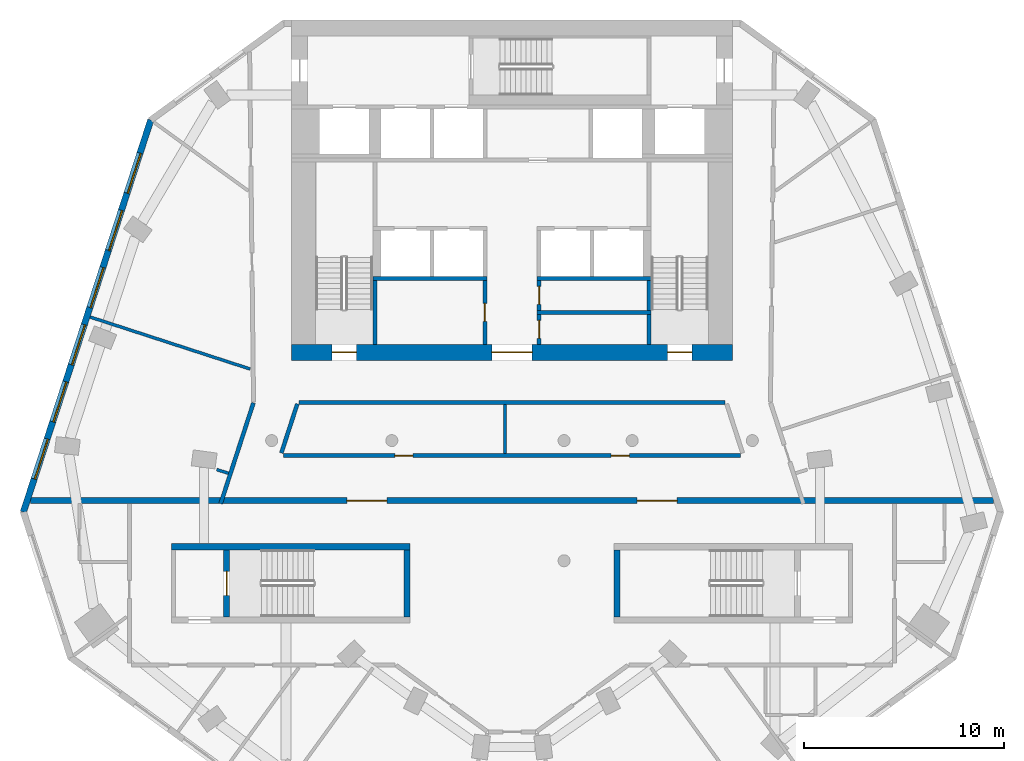
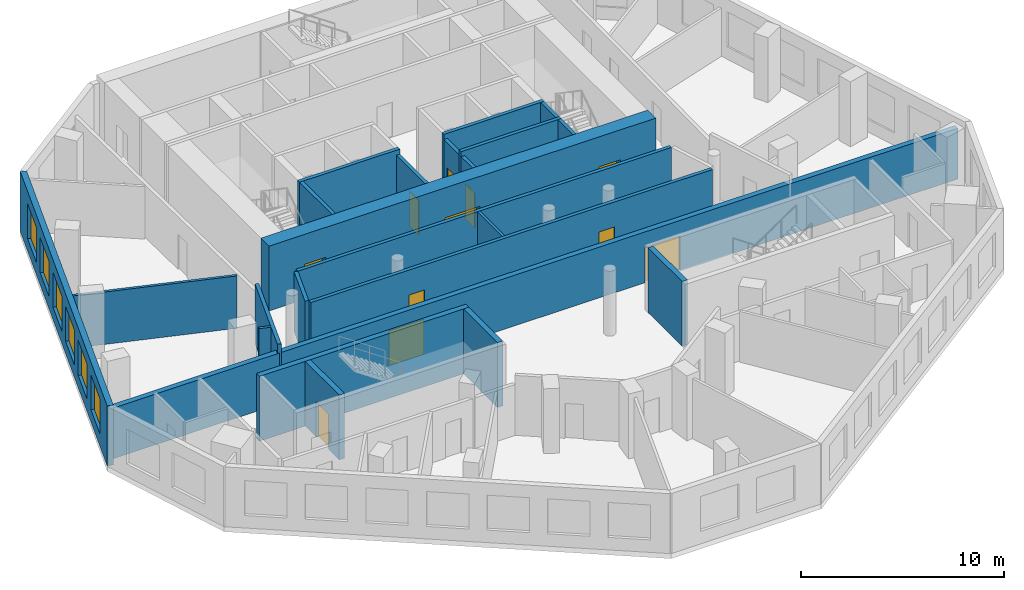
# One storey, part 3 of 9: 23 walls, 11 doors, 6 windows, 17 openings.
"""IFC4 building model written with IfcOpenShell, lengths in metres."""

from ifc_helpers import new_model, si_unit, direction, frame, frame_2d, origin, place, context, subcontext, project, spatial, rectangle, extrude, material, layer, layer_set, type_object, element, fill, save


model = new_model("IFC4")

# Units and contexts
model_context = context("Model", 3, precision=1e-05, world=origin(), true_north=direction((0.0, 1.0)))
body_context = subcontext(model_context, "Body", "Model", "MODEL_VIEW")
ifc_project = project(units=[si_unit("LENGTHUNIT", "METRE"), si_unit("AREAUNIT", "SQUARE_METRE"), si_unit("VOLUMEUNIT", "CUBIC_METRE"), si_unit("PLANEANGLEUNIT", "RADIAN"), si_unit("MASSUNIT", "GRAM", prefix="KILO")], contexts=[model_context])

# Site, building, storey
site_placement = place(None, origin())
site = spatial("IfcSite", under=ifc_project, at=site_placement, CompositionType="ELEMENT")
building_placement = place(site_placement, origin())
building = spatial("IfcBuilding", under=site, at=building_placement, Name="White Candle Pilgrim Tower", CompositionType="ELEMENT")
storey_placement = place(building_placement, frame((0.0, 0.0, 227.699951171875)))
storey = spatial("IfcBuildingStorey", under=building, at=storey_placement, Name="L53", CompositionType="ELEMENT", Elevation=227.699951171875)

# Walls
ifc_material_1 = material(Name="Gypsum board on steel studs", Category="steel")
ifc_layer_1 = layer(ifc_material_1, 0.199951171875)
ifc_layer_set_1 = layer_set([ifc_layer_1], Name="Corridor wall 200 mm EI 45")
wall_type_1 = type_object("IfcWallType", Name="Corridor wall 200 mm EI 45", PredefinedType="PARTITIONING", material=ifc_layer_set_1)
wall_1_placement = place(storey_placement, frame((55.454345703125, 63.85009765625, 0.0), z_axis=(0.0, 0.0, 1.0), x_axis=(0.309009941901, 0.951058807754, 0.0)))
element("IfcWall", 1, at=wall_1_placement, inside=storey, type_object=wall_type_1, Name="WL-L53-P002", PredefinedType="PARTITIONING", context=body_context, shape_type="SweptSolid", body=[
    extrude(rectangle(XDim=5.29345703125, YDim=0.199951171875, at=frame_2d((2.646728515625, 0.0))), origin(), (0.0, 0.0, 1.0), 3.60009765625),
])
wall_2_placement = place(storey_placement, frame((80.6240234375, 68.89990234375, 0.0), z_axis=(0.0, 0.0, 1.0), x_axis=(-1.0, 0.0, 0.0)))
element("IfcWall", 2, at=wall_2_placement, inside=storey, type_object=wall_type_1, Name="WL-L53-P013", PredefinedType="PARTITIONING", context=body_context, shape_type="SweptSolid", body=[
    extrude(rectangle(XDim=21.248046875, YDim=0.199951171875, at=frame_2d((10.6240234375, 0.0))), origin(), (0.0, 0.0, 1.0), 3.60009765625),
])
wall_3_placement = place(storey_placement, frame((59.28076171875, 68.830810546875, 0.0), z_axis=(0.0, 0.0, 1.0), x_axis=(-0.308968203288, -0.951072368097, 0.0)))
element("IfcWall", 3, at=wall_3_placement, inside=storey, type_object=wall_type_1, Name="WL-L53-P014", PredefinedType="PARTITIONING", context=body_context, shape_type="SweptSolid", body=[
    extrude(rectangle(XDim=2.575927734375, YDim=0.199951171875, at=frame_2d((1.2880859375, 0.0))), origin(), (0.0, 0.0, 1.0), 3.60009765625),
])

# Wall, openings, doors
wall_4_placement = place(storey_placement, frame((58.579833984375, 66.25, 0.0), z_axis=(0.0, 0.0, 1.0), x_axis=(1.0, 0.0, 0.0)))
wall_4 = element("IfcWall", 4, at=wall_4_placement, inside=storey, type_object=wall_type_1, Name="WL-L53-P015", PredefinedType="PARTITIONING", context=body_context, shape_type="SweptSolid", body=[
    extrude(rectangle(XDim=22.84033203125, YDim=0.199951171875, at=frame_2d((11.420166015625, 0.0))), origin(), (0.0, 0.0, 1.0), 3.60009765625),
])
opening_1_placement = place(wall_4_placement, frame((5.56689453125, 0.0, 0.0)))
opening_1 = element("IfcOpeningElement", 5, at=opening_1_placement, cuts=wall_4, Name="Opening T16-116", PredefinedType="OPENING", context=body_context, shape_type="SweptSolid", body=[
    extrude(rectangle(XDim=0.89990234375, YDim=2.10009765625, at=frame_2d((0.449951171875, 1.050048828125))), frame((0.0, 0.10986328125, 0.0), z_axis=(0.0, -1.0, 0.0), x_axis=(1.0, 0.0, 0.0)), (0.0, 0.0, 1.0), 0.219970703125),
])
opening_2_placement = place(wall_4_placement, frame((16.37451171875, 0.0, 0.0)))
opening_2 = element("IfcOpeningElement", 6, at=opening_2_placement, cuts=wall_4, Name="Opening T16-117", PredefinedType="OPENING", context=body_context, shape_type="SweptSolid", body=[
    extrude(rectangle(XDim=0.89990234375, YDim=2.10009765625, at=frame_2d((0.449951171875, 1.050048828125))), frame((0.0, 0.10986328125, 0.0), z_axis=(0.0, -1.0, 0.0), x_axis=(1.0, 0.0, 0.0)), (0.0, 0.0, 1.0), 0.219970703125),
])
ifc_material_2 = material(Name="Steel door leaf", Category="steel")
door_type_1 = type_object("IfcDoorType", Name="Fire door 900 x 2100 EI 30", OperationType="NOTDEFINED", PredefinedType="DOOR", material=ifc_material_2)
door_1_placement = place(opening_1_placement, origin())
door_1 = element("IfcDoor", 7, at=door_1_placement, inside=storey, type_object=door_type_1, Name="Door T16-116", OperationType="SINGLE_SWING_RIGHT", OverallHeight=2.10009765625, OverallWidth=0.89990234375, PredefinedType="DOOR", context=body_context, shape_type="SweptSolid", body=[
    extrude(rectangle(XDim=0.89990234375, YDim=2.10009765625, at=frame_2d((0.449951171875, 1.050048828125))), frame((0.0, 0.02490234375, 0.0), z_axis=(0.0, -1.0, 0.0), x_axis=(1.0, 0.0, 0.0)), (0.0, 0.0, 1.0), 0.050048828125),
])
fill(opening_1, door_1)
door_2_placement = place(opening_2_placement, origin())
door_2 = element("IfcDoor", 8, at=door_2_placement, inside=storey, type_object=door_type_1, Name="Door T16-117", OperationType="SINGLE_SWING_LEFT", OverallHeight=2.10009765625, OverallWidth=0.89990234375, PredefinedType="DOOR", context=body_context, shape_type="SweptSolid", body=[
    extrude(rectangle(XDim=0.89990234375, YDim=2.10009765625, at=frame_2d((0.449951171875, 1.050048828125))), frame((0.0, 0.02490234375, 0.0), z_axis=(0.0, -1.0, 0.0), x_axis=(1.0, 0.0, 0.0)), (0.0, 0.0, 1.0), 0.050048828125),
])
fill(opening_2, door_2)

# Wall, openings, windows
ifc_material_3 = material(Name="Precast concrete C40/50", Category="concrete")
ifc_layer_2 = layer(ifc_material_3, 0.320068359375)
ifc_layer_set_2 = layer_set([ifc_layer_2], Name="Facade wall EW1 precast concrete C40/50 pier wall with timber-lined reveals")
wall_type_2 = type_object("IfcWallType", Name="Facade wall EW1 precast concrete C40/50 pier wall with timber-lined reveals", PredefinedType="SOLIDWALL", material=ifc_layer_set_2)
wall_5_placement = place(storey_placement, frame((51.96337890625, 83.00732421875, 0.0), z_axis=(0.0, 0.0, 1.0), x_axis=(-0.309012851328, -0.951057862443, 0.0)))
wall_5 = element("IfcWall", 9, at=wall_5_placement, inside=storey, type_object=wall_type_2, Name="Facade wall L53 WNW", PredefinedType="SOLIDWALL", context=body_context, shape_type="SweptSolid", body=[
    extrude(rectangle(XDim=20.582763671875, YDim=0.320068359375, at=frame_2d((10.29150390625, 0.0))), origin(), (0.0, 0.0, 1.0), 3.60009765625),
])
opening_3_placement = place(wall_5_placement, frame((1.741455078125, 0.0, 0.75)))
opening_3 = element("IfcOpeningElement", 10, at=opening_3_placement, cuts=wall_5, Name="Opening W3", PredefinedType="OPENING", context=body_context, shape_type="SweptSolid", body=[
    extrude(rectangle(XDim=2.10009765625, YDim=2.10009765625, at=frame_2d((1.050048828125, 1.050048828125))), frame((0.0, 0.169921875, 0.0), z_axis=(0.0, -1.0, 0.0), x_axis=(1.0, 0.0, 0.0)), (0.0, 0.0, 1.0), 0.340087890625),
])
opening_4_placement = place(wall_5_placement, frame((4.741455078125, 0.0, 0.75)))
opening_4 = element("IfcOpeningElement", 11, at=opening_4_placement, cuts=wall_5, Name="Opening W3", PredefinedType="OPENING", context=body_context, shape_type="SweptSolid", body=[
    extrude(rectangle(XDim=2.10009765625, YDim=2.10009765625, at=frame_2d((1.050048828125, 1.050048828125))), frame((0.0, 0.169921875, 0.0), z_axis=(0.0, -1.0, 0.0), x_axis=(1.0, 0.0, 0.0)), (0.0, 0.0, 1.0), 0.340087890625),
])
opening_5_placement = place(wall_5_placement, frame((7.741455078125, 0.0, 0.75)))
opening_5 = element("IfcOpeningElement", 12, at=opening_5_placement, cuts=wall_5, Name="Opening W3", PredefinedType="OPENING", context=body_context, shape_type="SweptSolid", body=[
    extrude(rectangle(XDim=2.10009765625, YDim=2.10009765625, at=frame_2d((1.050048828125, 1.050048828125))), frame((0.0, 0.169921875, 0.0), z_axis=(0.0, -1.0, 0.0), x_axis=(1.0, 0.0, 0.0)), (0.0, 0.0, 1.0), 0.340087890625),
])
opening_6_placement = place(wall_5_placement, frame((10.741455078125, 0.0, 0.75)))
opening_6 = element("IfcOpeningElement", 13, at=opening_6_placement, cuts=wall_5, Name="Opening W3", PredefinedType="OPENING", context=body_context, shape_type="SweptSolid", body=[
    extrude(rectangle(XDim=2.10009765625, YDim=2.10009765625, at=frame_2d((1.050048828125, 1.050048828125))), frame((0.0, 0.169921875, 0.0), z_axis=(0.0, -1.0, 0.0), x_axis=(1.0, 0.0, 0.0)), (0.0, 0.0, 1.0), 0.340087890625),
])
opening_7_placement = place(wall_5_placement, frame((13.741455078125, 0.0, 0.75)))
opening_7 = element("IfcOpeningElement", 14, at=opening_7_placement, cuts=wall_5, Name="Opening W3", PredefinedType="OPENING", context=body_context, shape_type="SweptSolid", body=[
    extrude(rectangle(XDim=2.10009765625, YDim=2.10009765625, at=frame_2d((1.050048828125, 1.050048828125))), frame((0.0, 0.169921875, 0.0), z_axis=(0.0, -1.0, 0.0), x_axis=(1.0, 0.0, 0.0)), (0.0, 0.0, 1.0), 0.340087890625),
])
opening_8_placement = place(wall_5_placement, frame((16.741455078125, 0.0, 0.75)))
opening_8 = element("IfcOpeningElement", 15, at=opening_8_placement, cuts=wall_5, Name="Opening W3", PredefinedType="OPENING", context=body_context, shape_type="SweptSolid", body=[
    extrude(rectangle(XDim=2.10009765625, YDim=2.10009765625, at=frame_2d((1.050048828125, 1.050048828125))), frame((0.0, 0.169921875, 0.0), z_axis=(0.0, -1.0, 0.0), x_axis=(1.0, 0.0, 0.0)), (0.0, 0.0, 1.0), 0.340087890625),
])
ifc_material_4 = material(Name="Timber frame with triple glazing", Category="wood")
window_type = type_object("IfcWindowType", Name="Window W3 2100x2100 timber frame triple glazing", PartitioningType="SINGLE_PANEL", PredefinedType="WINDOW", material=ifc_material_4)
window_1_placement = place(opening_3_placement, origin())
window_1 = element("IfcWindow", 16, at=window_1_placement, inside=storey, type_object=window_type, Name="Window W3 L53 WNW 1", OverallHeight=2.10009765625, OverallWidth=2.10009765625, PartitioningType="SINGLE_PANEL", PredefinedType="WINDOW", context=body_context, shape_type="SweptSolid", body=[
    extrude(rectangle(XDim=2.10009765625, YDim=2.10009765625, at=frame_2d((1.050048828125, 1.050048828125))), frame((0.0, 0.070068359375, 0.0), z_axis=(0.0, -1.0, 0.0), x_axis=(1.0, 0.0, 0.0)), (0.0, 0.0, 1.0), 0.06005859375),
])
fill(opening_3, window_1)
window_2_placement = place(opening_4_placement, origin())
window_2 = element("IfcWindow", 17, at=window_2_placement, inside=storey, type_object=window_type, Name="Window W3 L53 WNW 2", OverallHeight=2.10009765625, OverallWidth=2.10009765625, PartitioningType="SINGLE_PANEL", PredefinedType="WINDOW", context=body_context, shape_type="SweptSolid", body=[
    extrude(rectangle(XDim=2.10009765625, YDim=2.10009765625, at=frame_2d((1.050048828125, 1.050048828125))), frame((0.0, 0.070068359375, 0.0), z_axis=(0.0, -1.0, 0.0), x_axis=(1.0, 0.0, 0.0)), (0.0, 0.0, 1.0), 0.06005859375),
])
fill(opening_4, window_2)
window_3_placement = place(opening_5_placement, origin())
window_3 = element("IfcWindow", 18, at=window_3_placement, inside=storey, type_object=window_type, Name="Window W3 L53 WNW 3", OverallHeight=2.10009765625, OverallWidth=2.10009765625, PartitioningType="SINGLE_PANEL", PredefinedType="WINDOW", context=body_context, shape_type="SweptSolid", body=[
    extrude(rectangle(XDim=2.10009765625, YDim=2.10009765625, at=frame_2d((1.050048828125, 1.050048828125))), frame((0.0, 0.070068359375, 0.0), z_axis=(0.0, -1.0, 0.0), x_axis=(1.0, 0.0, 0.0)), (0.0, 0.0, 1.0), 0.06005859375),
])
fill(opening_5, window_3)
window_4_placement = place(opening_6_placement, origin())
window_4 = element("IfcWindow", 19, at=window_4_placement, inside=storey, type_object=window_type, Name="Window W3 L53 WNW 4", OverallHeight=2.10009765625, OverallWidth=2.10009765625, PartitioningType="SINGLE_PANEL", PredefinedType="WINDOW", context=body_context, shape_type="SweptSolid", body=[
    extrude(rectangle(XDim=2.10009765625, YDim=2.10009765625, at=frame_2d((1.050048828125, 1.050048828125))), frame((0.0, 0.070068359375, 0.0), z_axis=(0.0, -1.0, 0.0), x_axis=(1.0, 0.0, 0.0)), (0.0, 0.0, 1.0), 0.06005859375),
])
fill(opening_6, window_4)
window_5_placement = place(opening_7_placement, origin())
window_5 = element("IfcWindow", 20, at=window_5_placement, inside=storey, type_object=window_type, Name="Window W3 L53 WNW 5", OverallHeight=2.10009765625, OverallWidth=2.10009765625, PartitioningType="SINGLE_PANEL", PredefinedType="WINDOW", context=body_context, shape_type="SweptSolid", body=[
    extrude(rectangle(XDim=2.10009765625, YDim=2.10009765625, at=frame_2d((1.050048828125, 1.050048828125))), frame((0.0, 0.070068359375, 0.0), z_axis=(0.0, -1.0, 0.0), x_axis=(1.0, 0.0, 0.0)), (0.0, 0.0, 1.0), 0.06005859375),
])
fill(opening_7, window_5)
window_6_placement = place(opening_8_placement, origin())
window_6 = element("IfcWindow", 21, at=window_6_placement, inside=storey, type_object=window_type, Name="Window W3 L53 WNW 6", OverallHeight=2.10009765625, OverallWidth=2.10009765625, PartitioningType="SINGLE_PANEL", PredefinedType="WINDOW", context=body_context, shape_type="SweptSolid", body=[
    extrude(rectangle(XDim=2.10009765625, YDim=2.10009765625, at=frame_2d((1.050048828125, 1.050048828125))), frame((0.0, 0.070068359375, 0.0), z_axis=(0.0, -1.0, 0.0), x_axis=(1.0, 0.0, 0.0)), (0.0, 0.0, 1.0), 0.06005859375),
])
fill(opening_8, window_6)

# Wall, openings, doors
ifc_material_5 = material(Name="Aerated concrete block", Category="concrete")
ifc_layer_3 = layer(ifc_material_5, 0.300048828125)
ifc_layer_set_3 = layer_set([ifc_layer_3], Name="Fire wall 300 mm REI 240")
wall_type_3 = type_object("IfcWallType", Name="Fire wall 300 mm REI 240", PredefinedType="PARTITIONING", material=ifc_layer_set_3)
wall_6_placement = place(storey_placement, frame((45.955810546875, 64.0, 0.0), z_axis=(0.0, 0.0, 1.0), x_axis=(1.0, 0.0, 0.0)))
wall_6 = element("IfcWall", 22, at=wall_6_placement, inside=storey, type_object=wall_type_3, Name="WL-L53-P001", PredefinedType="PARTITIONING", context=body_context, shape_type="SweptSolid", body=[
    extrude(rectangle(XDim=48.08837890625, YDim=0.300048828125, at=frame_2d((24.044189453125, 0.0))), origin(), (0.0, 0.0, 1.0), 3.050048828125),
])
opening_9_placement = place(wall_6_placement, frame((15.795654296875, 0.0, 0.0)))
opening_9 = element("IfcOpeningElement", 23, at=opening_9_placement, cuts=wall_6, Name="Opening T16-114", PredefinedType="OPENING", context=body_context, shape_type="SweptSolid", body=[
    extrude(rectangle(XDim=2.0, YDim=2.10009765625, at=frame_2d((1.0, 1.050048828125))), frame((0.0, 0.159912109375, 0.0), z_axis=(0.0, -1.0, 0.0), x_axis=(1.0, 0.0, 0.0)), (0.0, 0.0, 1.0), 0.320068359375),
])
opening_10_placement = place(wall_6_placement, frame((30.292724609375, 0.0, 0.0)))
opening_10 = element("IfcOpeningElement", 24, at=opening_10_placement, cuts=wall_6, Name="Opening T16-115", PredefinedType="OPENING", context=body_context, shape_type="SweptSolid", body=[
    extrude(rectangle(XDim=2.0, YDim=2.10009765625, at=frame_2d((1.0, 1.050048828125))), frame((0.0, 0.159912109375, 0.0), z_axis=(0.0, -1.0, 0.0), x_axis=(1.0, 0.0, 0.0)), (0.0, 0.0, 1.0), 0.320068359375),
])
door_type_2 = type_object("IfcDoorType", Name="Fire door 2000 x 2100 EI 60", OperationType="NOTDEFINED", PredefinedType="DOOR", material=ifc_material_2)
door_3_placement = place(opening_9_placement, origin())
door_3 = element("IfcDoor", 25, at=door_3_placement, inside=storey, type_object=door_type_2, Name="Door T16-114", OperationType="DOUBLE_DOOR_SINGLE_SWING", OverallHeight=2.10009765625, OverallWidth=2.0, PredefinedType="DOOR", context=body_context, shape_type="SweptSolid", body=[
    extrude(rectangle(XDim=2.0, YDim=2.10009765625, at=frame_2d((1.0, 1.050048828125))), frame((0.0, 0.02490234375, 0.0), z_axis=(0.0, -1.0, 0.0), x_axis=(1.0, 0.0, 0.0)), (0.0, 0.0, 1.0), 0.050048828125),
])
fill(opening_9, door_3)
door_4_placement = place(opening_10_placement, origin())
door_4 = element("IfcDoor", 26, at=door_4_placement, inside=storey, type_object=door_type_2, Name="Door T16-115", OperationType="DOUBLE_DOOR_SINGLE_SWING", OverallHeight=2.10009765625, OverallWidth=2.0, PredefinedType="DOOR", context=body_context, shape_type="SweptSolid", body=[
    extrude(rectangle(XDim=2.0, YDim=2.10009765625, at=frame_2d((1.0, 1.050048828125))), frame((0.0, 0.02490234375, 0.0), z_axis=(0.0, -1.0, 0.0), x_axis=(1.0, 0.0, 0.0)), (0.0, 0.0, 1.0), 0.050048828125),
])
fill(opening_10, door_4)

# Wall, opening, door
ifc_layer_4 = layer(ifc_material_1, 0.199951171875)
ifc_layer_set_4 = layer_set([ifc_layer_4], Name="Lobby wall 200 mm EI 60")
wall_type_4 = type_object("IfcWallType", Name="Lobby wall 200 mm EI 60", PredefinedType="PARTITIONING", material=ifc_layer_set_4)
wall_7_placement = place(storey_placement, frame((68.64990234375, 71.800048828125, 0.0), z_axis=(0.0, 0.0, 1.0), x_axis=(0.0, 1.0, 0.0)))
wall_7 = element("IfcWall", 27, at=wall_7_placement, inside=storey, type_object=wall_type_4, Name="WL-L53-C14", PredefinedType="PARTITIONING", context=body_context, shape_type="SweptSolid", body=[
    extrude(rectangle(XDim=3.199951171875, YDim=0.199951171875, at=frame_2d((1.60009765625, 0.0))), origin(), (0.0, 0.0, 1.0), 3.60009765625),
])
opening_11_placement = place(wall_7_placement, frame((1.14990234375, 0.0, 0.0)))
opening_11 = element("IfcOpeningElement", 28, at=opening_11_placement, cuts=wall_7, Name="Opening T16-005", PredefinedType="OPENING", context=body_context, shape_type="SweptSolid", body=[
    extrude(rectangle(XDim=0.89990234375, YDim=2.10009765625, at=frame_2d((0.449951171875, 1.050048828125))), frame((0.0, 0.10986328125, 0.0), z_axis=(0.0, -1.0, 0.0), x_axis=(1.0, 0.0, 0.0)), (0.0, 0.0, 1.0), 0.219970703125),
])
door_5_placement = place(opening_11_placement, origin())
door_5 = element("IfcDoor", 29, at=door_5_placement, inside=storey, type_object=door_type_1, Name="Door T16-005", OperationType="SINGLE_SWING_LEFT", OverallHeight=2.10009765625, OverallWidth=0.89990234375, PredefinedType="DOOR", context=body_context, shape_type="SweptSolid", body=[
    extrude(rectangle(XDim=0.89990234375, YDim=2.10009765625, at=frame_2d((0.449951171875, 1.050048828125))), frame((0.0, 0.02490234375, 0.0), z_axis=(0.0, -1.0, 0.0), x_axis=(1.0, 0.0, 0.0)), (0.0, 0.0, 1.0), 0.050048828125),
])
fill(opening_11, door_5)

wall_8_placement = place(storey_placement, frame((71.35009765625, 71.800048828125, 0.0), z_axis=(0.0, 0.0, 1.0), x_axis=(0.0, 1.0, 0.0)))
wall_8 = element("IfcWall", 30, at=wall_8_placement, inside=storey, type_object=wall_type_4, Name="WL-L53-C15", PredefinedType="PARTITIONING", context=body_context, shape_type="SweptSolid", body=[
    extrude(rectangle(XDim=1.5, YDim=0.199951171875, at=frame_2d((0.75, 0.0))), origin(), (0.0, 0.0, 1.0), 3.60009765625),
])
opening_12_placement = place(wall_8_placement, frame((0.300048828125, 0.0, 0.0)))
opening_12 = element("IfcOpeningElement", 31, at=opening_12_placement, cuts=wall_8, Name="Opening T16-006", PredefinedType="OPENING", context=body_context, shape_type="SweptSolid", body=[
    extrude(rectangle(XDim=0.89990234375, YDim=2.10009765625, at=frame_2d((0.449951171875, 1.050048828125))), frame((0.0, 0.10986328125, 0.0), z_axis=(0.0, -1.0, 0.0), x_axis=(1.0, 0.0, 0.0)), (0.0, 0.0, 1.0), 0.219970703125),
])
door_6_placement = place(opening_12_placement, origin())
door_6 = element("IfcDoor", 32, at=door_6_placement, inside=storey, type_object=door_type_1, Name="Door T16-006", OperationType="SINGLE_SWING_RIGHT", OverallHeight=2.10009765625, OverallWidth=0.89990234375, PredefinedType="DOOR", context=body_context, shape_type="SweptSolid", body=[
    extrude(rectangle(XDim=0.89990234375, YDim=2.10009765625, at=frame_2d((0.449951171875, 1.050048828125))), frame((0.0, 0.02490234375, 0.0), z_axis=(0.0, -1.0, 0.0), x_axis=(1.0, 0.0, 0.0)), (0.0, 0.0, 1.0), 0.050048828125),
])
fill(opening_12, door_6)

wall_9_placement = place(storey_placement, frame((71.35009765625, 73.5, 0.0), z_axis=(0.0, 0.0, 1.0), x_axis=(0.0, 1.0, 0.0)))
wall_9 = element("IfcWall", 33, at=wall_9_placement, inside=storey, type_object=wall_type_4, Name="WL-L53-C19", PredefinedType="PARTITIONING", context=body_context, shape_type="SweptSolid", body=[
    extrude(rectangle(XDim=1.5, YDim=0.199951171875, at=frame_2d((0.75, 0.0))), origin(), (0.0, 0.0, 1.0), 3.60009765625),
])
opening_13_placement = place(wall_9_placement, frame((0.300048828125, 0.0, 0.0)))
opening_13 = element("IfcOpeningElement", 34, at=opening_13_placement, cuts=wall_9, Name="Opening T16-007", PredefinedType="OPENING", context=body_context, shape_type="SweptSolid", body=[
    extrude(rectangle(XDim=0.89990234375, YDim=2.10009765625, at=frame_2d((0.449951171875, 1.050048828125))), frame((0.0, 0.10986328125, 0.0), z_axis=(0.0, -1.0, 0.0), x_axis=(1.0, 0.0, 0.0)), (0.0, 0.0, 1.0), 0.219970703125),
])
door_7_placement = place(opening_13_placement, origin())
door_7 = element("IfcDoor", 35, at=door_7_placement, inside=storey, type_object=door_type_1, Name="Door T16-007", OperationType="SINGLE_SWING_LEFT", OverallHeight=2.10009765625, OverallWidth=0.89990234375, PredefinedType="DOOR", context=body_context, shape_type="SweptSolid", body=[
    extrude(rectangle(XDim=0.89990234375, YDim=2.10009765625, at=frame_2d((0.449951171875, 1.050048828125))), frame((0.0, 0.02490234375, 0.0), z_axis=(0.0, -1.0, 0.0), x_axis=(1.0, 0.0, 0.0)), (0.0, 0.0, 1.0), 0.050048828125),
])
fill(opening_13, door_7)

# Walls
ifc_layer_5 = layer(ifc_material_1, 0.14990234375)
ifc_layer_set_5 = layer_set([ifc_layer_5], Name="Partition 150 mm EI 60")
wall_type_5 = type_object("IfcWallType", Name="Partition 150 mm EI 60", PredefinedType="PARTITIONING", material=ifc_layer_set_5)
wall_10_placement = place(storey_placement, frame((48.935302734375, 73.170166015625, 0.0), z_axis=(0.0, 0.0, 1.0), x_axis=(0.951052231639, -0.309030180879, 0.0)))
element("IfcWall", 36, at=wall_10_placement, inside=storey, type_object=wall_type_5, Name="WL-L53-P023", PredefinedType="PARTITIONING", context=body_context, shape_type="SweptSolid", body=[
    extrude(rectangle(XDim=8.3955078125, YDim=0.14990234375, at=frame_2d((4.19775390625, 0.0))), origin(), (0.0, 0.0, 1.0), 3.150146484375),
])
wall_11_placement = place(storey_placement, frame((69.651123046875, 66.35009765625, 0.0), z_axis=(0.0, 0.0, 1.0), x_axis=(0.0, 1.0, 0.0)))
element("IfcWall", 37, at=wall_11_placement, inside=storey, type_object=wall_type_5, Name="WL-L53-P038", PredefinedType="PARTITIONING", context=body_context, shape_type="SweptSolid", body=[
    extrude(rectangle(XDim=2.449951171875, YDim=0.14990234375, at=frame_2d((1.22509765625, 0.0))), origin(), (0.0, 0.0, 1.0), 3.60009765625),
])
wall_12_placement = place(storey_placement, frame((55.2568359375, 65.55517578125, 0.0), z_axis=(0.0, 0.0, 1.0), x_axis=(0.951077833303, -0.30895137967, 0.0)))
element("IfcWall", 38, at=wall_12_placement, inside=storey, type_object=wall_type_5, Name="WL-L53-P041", PredefinedType="PARTITIONING", context=body_context, shape_type="SweptSolid", body=[
    extrude(rectangle(XDim=0.61474609375, YDim=0.14990234375, at=frame_2d((0.307373046875, 0.0))), origin(), (0.0, 0.0, 1.0), 3.60009765625),
])
ifc_material_6 = material(Name="Concrete C50/60", Category="concrete")
ifc_layer_6 = layer(ifc_material_6, 0.199951171875)
ifc_layer_set_6 = layer_set([ifc_layer_6], Name="Stair shaft wall 200 mm Concrete C50/60")
wall_type_6 = type_object("IfcWallType", Name="Stair shaft wall 200 mm Concrete C50/60", PredefinedType="SHEAR", material=ifc_layer_set_6)
wall_13_placement = place(storey_placement, frame((63.14990234375, 71.800048828125, 0.0), z_axis=(0.0, 0.0, 1.0), x_axis=(0.0, 1.0, 0.0)))
element("IfcWall", 39, at=wall_13_placement, inside=storey, type_object=wall_type_6, Name="WL-L53-C13", PredefinedType="SHEAR", context=body_context, shape_type="SweptSolid", body=[
    extrude(rectangle(XDim=3.199951171875, YDim=0.199951171875, at=frame_2d((1.60009765625, 0.0))), origin(), (0.0, 0.0, 1.0), 3.900146484375),
])
wall_14_placement = place(storey_placement, frame((76.85009765625, 71.800048828125, 0.0), z_axis=(0.0, 0.0, 1.0), x_axis=(0.0, 1.0, 0.0)))
element("IfcWall", 40, at=wall_14_placement, inside=storey, type_object=wall_type_6, Name="WL-L53-C16", PredefinedType="SHEAR", context=body_context, shape_type="SweptSolid", body=[
    extrude(rectangle(XDim=1.5, YDim=0.199951171875, at=frame_2d((0.75, 0.0))), origin(), (0.0, 0.0, 1.0), 3.900146484375),
])
wall_15_placement = place(storey_placement, frame((71.25, 73.39990234375, 0.0), z_axis=(0.0, 0.0, 1.0), x_axis=(1.0, 0.0, 0.0)))
element("IfcWall", 41, at=wall_15_placement, inside=storey, type_object=wall_type_6, Name="WL-L53-C18", PredefinedType="SHEAR", context=body_context, shape_type="SweptSolid", body=[
    extrude(rectangle(XDim=5.699951171875, YDim=0.199951171875, at=frame_2d((2.85009765625, 0.0))), origin(), (0.0, 0.0, 1.0), 3.900146484375),
])
wall_16_placement = place(storey_placement, frame((76.85009765625, 73.5, 0.0), z_axis=(0.0, 0.0, 1.0), x_axis=(0.0, 1.0, 0.0)))
element("IfcWall", 42, at=wall_16_placement, inside=storey, type_object=wall_type_6, Name="WL-L53-C20", PredefinedType="SHEAR", context=body_context, shape_type="SweptSolid", body=[
    extrude(rectangle(XDim=1.5, YDim=0.199951171875, at=frame_2d((0.75, 0.0))), origin(), (0.0, 0.0, 1.0), 3.900146484375),
])
for number, where, z_axis, x_axis, name in (
    (43, (63.050048828125, 75.10009765625, 0.0), (0.0, 0.0, 1.0), (1.0, 0.0, 0.0), "WL-L53-C21"),
    (44, (71.25, 75.10009765625, 0.0), (0.0, 0.0, 1.0), (1.0, 0.0, 0.0), "WL-L53-C22"),
):
    element("IfcWall", number, at=place(storey_placement, frame(where, z_axis=z_axis, x_axis=x_axis)), inside=storey, type_object=wall_type_6, Name=name, PredefinedType="SHEAR", context=body_context, shape_type="SweptSolid", body=[
        extrude(rectangle(XDim=5.699951171875, YDim=0.199951171875, at=frame_2d((2.85009765625, 0.0))), origin(), (0.0, 0.0, 1.0), 3.900146484375),
    ])

# Wall, opening, door
ifc_layer_7 = layer(ifc_material_6, 0.300048828125)
ifc_layer_set_7 = layer_set([ifc_layer_7], Name="Stair shaft wall 300 mm Concrete C50/60")
wall_type_7 = type_object("IfcWallType", Name="Stair shaft wall 300 mm Concrete C50/60", PredefinedType="SHEAR", material=ifc_layer_set_7)
wall_17_placement = place(storey_placement, frame((55.75, 58.199951171875, 0.0), z_axis=(0.0, 0.0, 1.0), x_axis=(0.0, 1.0, 0.0)))
wall_17 = element("IfcWall", 45, at=wall_17_placement, inside=storey, type_object=wall_type_7, Name="WL-L53-C04", PredefinedType="SHEAR", context=body_context, shape_type="SweptSolid", body=[
    extrude(rectangle(XDim=3.35009765625, YDim=0.300048828125, at=frame_2d((1.675048828125, 0.0))), origin(), (0.0, 0.0, 1.0), 3.900146484375),
])
opening_14_placement = place(wall_17_placement, frame((1.074951171875, 0.0, 0.0)))
opening_14 = element("IfcOpeningElement", 46, at=opening_14_placement, cuts=wall_17, Name="Opening T16-011", PredefinedType="OPENING", context=body_context, shape_type="SweptSolid", body=[
    extrude(rectangle(XDim=1.199951171875, YDim=2.10009765625, at=frame_2d((0.60009765625, 1.050048828125))), frame((0.0, 0.159912109375, 0.0), z_axis=(0.0, -1.0, 0.0), x_axis=(1.0, 0.0, 0.0)), (0.0, 0.0, 1.0), 0.320068359375),
])
door_type_3 = type_object("IfcDoorType", Name="Fire door 1200 x 2100 EI 60", OperationType="NOTDEFINED", PredefinedType="DOOR", material=ifc_material_2)
door_8_placement = place(opening_14_placement, frame((1.199951171875, 0.0, 0.0), z_axis=(0.0, 0.0, 1.0), x_axis=(-1.0, 0.0, 0.0)))
door_8 = element("IfcDoor", 47, at=door_8_placement, inside=storey, type_object=door_type_3, Name="Door T16-011", OperationType="SINGLE_SWING_RIGHT", OverallHeight=2.10009765625, OverallWidth=1.199951171875, PredefinedType="DOOR", context=body_context, shape_type="SweptSolid", body=[
    extrude(rectangle(XDim=1.199951171875, YDim=2.10009765625, at=frame_2d((0.60009765625, 1.050048828125))), frame((0.0, 0.02490234375, 0.0), z_axis=(0.0, -1.0, 0.0), x_axis=(1.0, 0.0, 0.0)), (0.0, 0.0, 1.0), 0.050048828125),
])
fill(opening_14, door_8)

# Walls
for number, where, z_axis, x_axis, name in (
    (48, (64.75, 58.199951171875, 0.0), (0.0, 0.0, 1.0), (0.0, 1.0, 0.0), "WL-L53-C05"),
    (49, (75.25, 58.199951171875, 0.0), (0.0, 0.0, 1.0), (0.0, 1.0, 0.0), "WL-L53-C06"),
):
    element("IfcWall", number, at=place(storey_placement, frame(where, z_axis=z_axis, x_axis=x_axis)), inside=storey, type_object=wall_type_7, Name=name, PredefinedType="SHEAR", context=body_context, shape_type="SweptSolid", body=[
        extrude(rectangle(XDim=3.35009765625, YDim=0.300048828125, at=frame_2d((1.675048828125, 0.0))), origin(), (0.0, 0.0, 1.0), 3.900146484375),
    ])
wall_18_placement = place(storey_placement, frame((53.0, 61.699951171875, 0.0), z_axis=(0.0, 0.0, 1.0), x_axis=(1.0, 0.0, 0.0)))
element("IfcWall", 50, at=wall_18_placement, inside=storey, type_object=wall_type_7, Name="WL-L53-C09", PredefinedType="SHEAR", context=body_context, shape_type="SweptSolid", body=[
    extrude(rectangle(XDim=11.89990234375, YDim=0.300048828125, at=frame_2d((5.949951171875, 0.0))), origin(), (0.0, 0.0, 1.0), 3.900146484375),
])

# Wall, openings, doors
ifc_layer_8 = layer(ifc_material_6, 0.800048828125)
ifc_layer_set_8 = layer_set([ifc_layer_8], Name="Stair shaft wall 800 mm Concrete C50/60")
wall_type_8 = type_object("IfcWallType", Name="Stair shaft wall 800 mm Concrete C50/60", PredefinedType="SHEAR", material=ifc_layer_set_8)
wall_19_placement = place(storey_placement, frame((59.0, 71.39990234375, 0.0), z_axis=(0.0, 0.0, 1.0), x_axis=(1.0, 0.0, 0.0)))
wall_19 = element("IfcWall", 51, at=wall_19_placement, inside=storey, type_object=wall_type_8, Name="WL-L53-C11", PredefinedType="SHEAR", context=body_context, shape_type="SweptSolid", body=[
    extrude(rectangle(XDim=22.0, YDim=0.800048828125, at=frame_2d((11.0, 0.0))), origin(), (0.0, 0.0, 1.0), 3.900146484375),
])
opening_15_placement = place(wall_19_placement, frame((2.02490234375, 0.0, 0.0)))
opening_15 = element("IfcOpeningElement", 52, at=opening_15_placement, cuts=wall_19, Name="Opening T16-001", PredefinedType="OPENING", context=body_context, shape_type="SweptSolid", body=[
    extrude(rectangle(XDim=1.199951171875, YDim=2.10009765625, at=frame_2d((0.60009765625, 1.050048828125))), frame((0.0, 0.409912109375, 0.0), z_axis=(0.0, -1.0, 0.0), x_axis=(1.0, 0.0, 0.0)), (0.0, 0.0, 1.0), 0.820068359375),
])
opening_16_placement = place(wall_19_placement, frame((18.77490234375, 0.0, 0.0)))
opening_16 = element("IfcOpeningElement", 53, at=opening_16_placement, cuts=wall_19, Name="Opening T16-002", PredefinedType="OPENING", context=body_context, shape_type="SweptSolid", body=[
    extrude(rectangle(XDim=1.199951171875, YDim=2.10009765625, at=frame_2d((0.60009765625, 1.050048828125))), frame((0.0, 0.409912109375, 0.0), z_axis=(0.0, -1.0, 0.0), x_axis=(1.0, 0.0, 0.0)), (0.0, 0.0, 1.0), 0.820068359375),
])
opening_17_placement = place(wall_19_placement, frame((10.0, 0.0, 0.0)))
opening_17 = element("IfcOpeningElement", 54, at=opening_17_placement, cuts=wall_19, Name="Opening T16-004", PredefinedType="OPENING", context=body_context, shape_type="SweptSolid", body=[
    extrude(rectangle(XDim=2.0, YDim=2.10009765625, at=frame_2d((1.0, 1.050048828125))), frame((0.0, 0.409912109375, 0.0), z_axis=(0.0, -1.0, 0.0), x_axis=(1.0, 0.0, 0.0)), (0.0, 0.0, 1.0), 0.820068359375),
])
door_9_placement = place(opening_15_placement, frame((1.199951171875, 0.0, 0.0), z_axis=(0.0, 0.0, 1.0), x_axis=(-1.0, 0.0, 0.0)))
door_9 = element("IfcDoor", 55, at=door_9_placement, inside=storey, type_object=door_type_3, Name="Door T16-001", OperationType="SINGLE_SWING_RIGHT", OverallHeight=2.10009765625, OverallWidth=1.199951171875, PredefinedType="DOOR", context=body_context, shape_type="SweptSolid", body=[
    extrude(rectangle(XDim=1.199951171875, YDim=2.10009765625, at=frame_2d((0.60009765625, 1.050048828125))), frame((0.0, 0.02490234375, 0.0), z_axis=(0.0, -1.0, 0.0), x_axis=(1.0, 0.0, 0.0)), (0.0, 0.0, 1.0), 0.050048828125),
])
fill(opening_15, door_9)
door_10_placement = place(opening_16_placement, frame((1.199951171875, 0.0, 0.0), z_axis=(0.0, 0.0, 1.0), x_axis=(-1.0, 0.0, 0.0)))
door_10 = element("IfcDoor", 56, at=door_10_placement, inside=storey, type_object=door_type_3, Name="Door T16-002", OperationType="SINGLE_SWING_LEFT", OverallHeight=2.10009765625, OverallWidth=1.199951171875, PredefinedType="DOOR", context=body_context, shape_type="SweptSolid", body=[
    extrude(rectangle(XDim=1.199951171875, YDim=2.10009765625, at=frame_2d((0.60009765625, 1.050048828125))), frame((0.0, 0.02490234375, 0.0), z_axis=(0.0, -1.0, 0.0), x_axis=(1.0, 0.0, 0.0)), (0.0, 0.0, 1.0), 0.050048828125),
])
fill(opening_16, door_10)
door_11_placement = place(opening_17_placement, frame((2.0, 0.0, 0.0), z_axis=(0.0, 0.0, 1.0), x_axis=(-1.0, 0.0, 0.0)))
door_11 = element("IfcDoor", 57, at=door_11_placement, inside=storey, type_object=door_type_2, Name="Door T16-004", OperationType="DOUBLE_DOOR_SINGLE_SWING", OverallHeight=2.10009765625, OverallWidth=2.0, PredefinedType="DOOR", context=body_context, shape_type="SweptSolid", body=[
    extrude(rectangle(XDim=2.0, YDim=2.10009765625, at=frame_2d((1.0, 1.050048828125))), frame((0.0, 0.02490234375, 0.0), z_axis=(0.0, -1.0, 0.0), x_axis=(1.0, 0.0, 0.0)), (0.0, 0.0, 1.0), 0.050048828125),
])
fill(opening_17, door_11)

save(model, "model.ifc")
